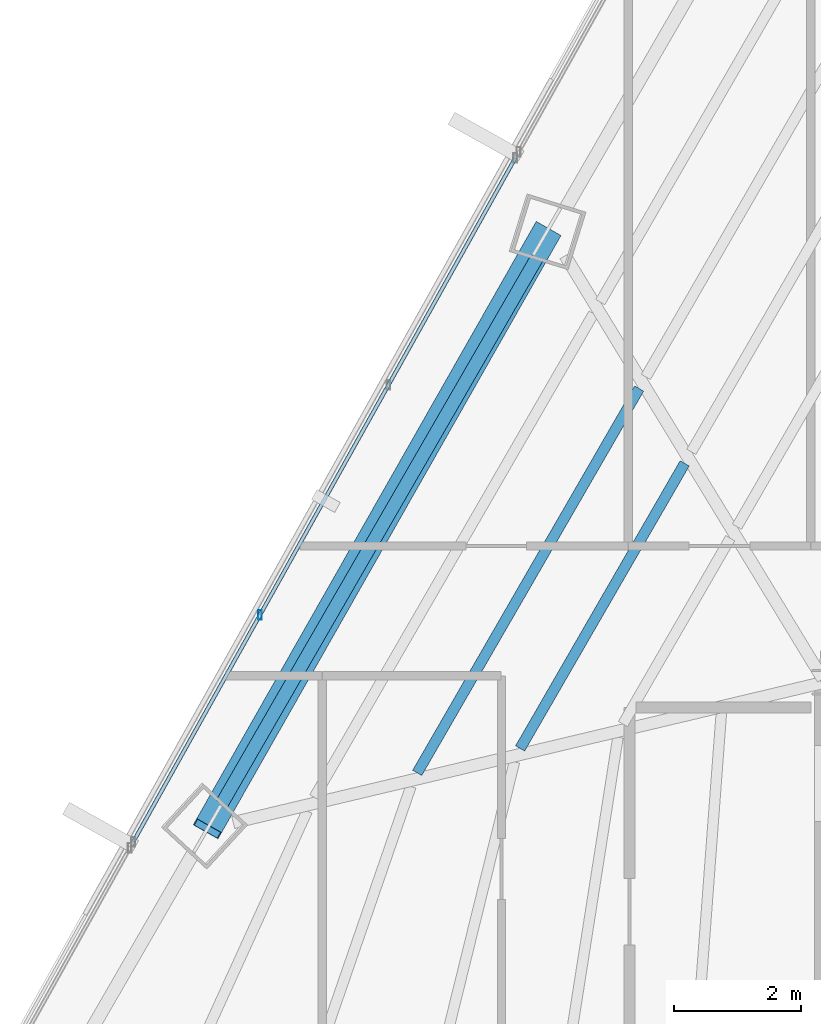
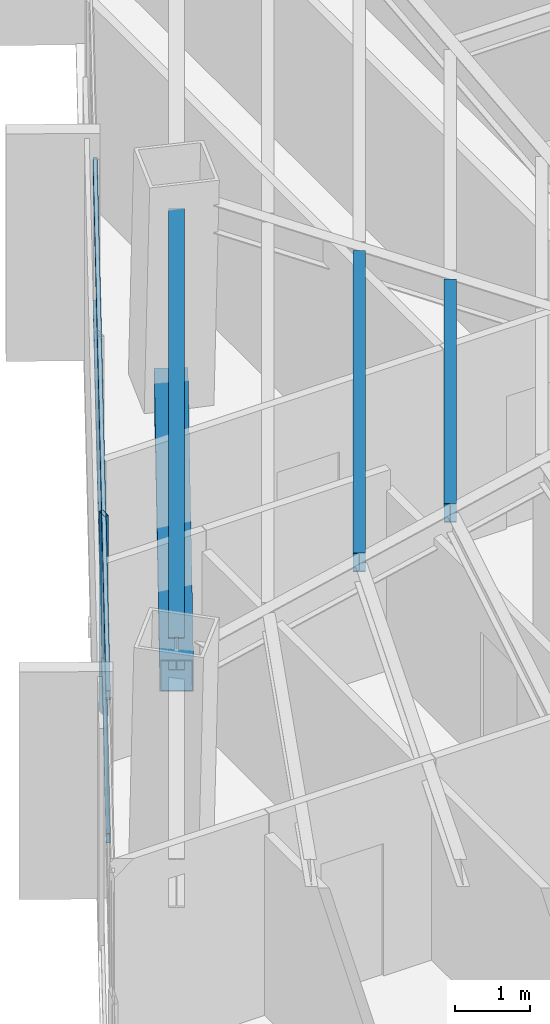
# One storey, part 14 of 40: 4 members, 3 beams, 1 element without a shape of its own.
"""IFC4 building model written with IfcOpenShell, lengths in metres."""

from ifc_helpers import new_model, si_unit, direction, frame, origin, origin_2d, place, context, subcontext, project, spatial, hollow_rectangle, i_section, extrude, source, transform, mapped, material, material_profile, profile_set, type_object, type_shapes, element, aggregate, save


model = new_model("IFC4")

# Units and contexts
model_context = context("Model", 3, precision=1e-05, world=origin(), true_north=direction((0.0, 1.0)))
body_context = subcontext(model_context, "Body", "Model", "MODEL_VIEW")
ifc_project = project(units=[si_unit("LENGTHUNIT", "METRE"), si_unit("AREAUNIT", "SQUARE_METRE"), si_unit("VOLUMEUNIT", "CUBIC_METRE"), si_unit("PLANEANGLEUNIT", "RADIAN"), si_unit("MASSUNIT", "GRAM", prefix="KILO")], contexts=[model_context])

# Site, building, storey
site_placement = place(None, origin())
site = spatial("IfcSite", under=ifc_project, at=site_placement, CompositionType="ELEMENT")
building_placement = place(site_placement, origin())
building = spatial("IfcBuilding", under=site, at=building_placement, Name="Caelisora Broadcast Tower", CompositionType="ELEMENT")
storey_placement = place(building_placement, frame((0.0, 0.0, 146.39990234375)))
storey = spatial("IfcBuildingStorey", under=building, at=storey_placement, Name="L38", CompositionType="ELEMENT", Elevation=146.39990234375)

# Beams
ifc_material_1 = material(Name="Steel Grade 350 (AS/NZS 3679.1)", Category="steel")
ifc_material_profile_1 = material_profile(ifc_material_1, i_section(OverallWidth=0.208984375, OverallDepth=0.532958984375, WebThickness=0.01025390625, FlangeThickness=0.015625, at=origin_2d()), Name="Steel Grade 350 (AS/NZS 3679.1)")
ifc_profile_set_1 = profile_set([ifc_material_profile_1], Name="Steel Grade 350 (AS/NZS 3679.1)")
beam_type_1 = type_object("IfcBeamType", Name="PG05", PredefinedType="BEAM", material=ifc_profile_set_1)
shared_shape_1 = source(origin(), body_context, "Body", "SweptSolid", [
    extrude(i_section(OverallWidth=0.208984375, OverallDepth=0.532958984375, WebThickness=0.01025390625, FlangeThickness=0.015625, at=origin_2d()), origin(), (0.0, 0.0, 1.0), 9.93408203125),
])
type_shapes(beam_type_1, [shared_shape_1])
beam_1_placement = place(storey_placement, frame((25.956298828125, 36.68896484375, 2.983642578125), z_axis=(-0.499995463244, -0.866028023066, 0.0), x_axis=(0.866028023066, -0.499995463244, 0.0)))
element("IfcBeam", 1, at=beam_1_placement, inside=storey, type_object=beam_type_1, Name="L38 beam PG05", PredefinedType="BEAM", context=body_context, shape_type="MappedRepresentation", body=[
    mapped(shared_shape_1, transform((0.0, 0.0, 0.0), scale=1.0)),
])
ifc_material_profile_2 = material_profile(ifc_material_1, i_section(OverallWidth=0.166015625, OverallDepth=0.30712890625, WebThickness=0.006591796875, FlangeThickness=0.01171875, at=origin_2d()), Name="Steel Grade 350 (AS/NZS 3679.1)")
ifc_profile_set_2 = profile_set([ifc_material_profile_2], Name="Steel Grade 350 (AS/NZS 3679.1)")
beam_type_2 = type_object("IfcBeamType", Name="SB03", PredefinedType="JOIST", material=ifc_profile_set_2)
shared_shape_2 = source(origin(), body_context, "Body", "SweptSolid", [
    extrude(i_section(OverallWidth=0.166015625, OverallDepth=0.30712890625, WebThickness=0.006591796875, FlangeThickness=0.01171875, at=origin_2d()), origin(), (0.0, 0.0, 1.0), 5.193359375),
])
beam_2_placement = place(storey_placement, frame((28.290283203125, 33.4521484375, 3.096435546875), z_axis=(-0.500001880682, -0.866024317969, 0.0), x_axis=(0.866024317969, -0.500001880682, 0.0)))
element("IfcBeam", 2, at=beam_2_placement, inside=storey, type_object=beam_type_2, Name="L38 beam SB03", PredefinedType="JOIST", context=body_context, shape_type="MappedRepresentation", body=[
    mapped(shared_shape_2, transform((0.0, 0.0, 0.0), scale=1.0)),
])
shared_shape_3 = source(origin(), body_context, "Body", "SweptSolid", [
    extrude(i_section(OverallWidth=0.166015625, OverallDepth=0.30712890625, WebThickness=0.006591796875, FlangeThickness=0.01171875, at=origin_2d()), origin(), (0.0, 0.0, 1.0), 7.002197265625),
])
type_shapes(beam_type_2, [shared_shape_2, shared_shape_3])
beam_3_placement = place(storey_placement, frame((27.5712890625, 34.63330078125, 3.096435546875), z_axis=(-0.499978992984, -0.866037531851, 0.0), x_axis=(0.866037531851, -0.499978992984, 0.0)))
element("IfcBeam", 3, at=beam_3_placement, inside=storey, type_object=beam_type_2, Name="L38 beam SB03", PredefinedType="JOIST", context=body_context, shape_type="MappedRepresentation", body=[
    mapped(shared_shape_3, transform((0.0, 0.0, 0.0), scale=1.0)),
])

# Member
ifc_material_2 = material(Name="Steel Grade 450 (AS/NZS 1163 C450L0)", Category="steel")
ifc_material_profile_3 = material_profile(ifc_material_2, hollow_rectangle(XDim=0.449951171875, YDim=0.449951171875, WallThickness=0.01611328125, at=origin_2d()), Name="Steel Grade 450 (AS/NZS 1163 C450L0)")
ifc_profile_set_3 = profile_set([ifc_material_profile_3], Name="Steel Grade 450 (AS/NZS 1163 C450L0)")
member_type_1 = type_object("IfcMemberType", Name="BR03", PredefinedType="BRACE", material=ifc_profile_set_3)
shared_shape_4 = source(origin(), body_context, "Body", "SweptSolid", [
    extrude(hollow_rectangle(XDim=0.449951171875, YDim=0.449951171875, WallThickness=0.01611328125, at=origin_2d()), origin(), (0.0, 0.0, 1.0), 11.20654296875),
])
type_shapes(member_type_1, [shared_shape_4])
member_1_placement = place(storey_placement, frame((26.115478515625, 37.109375, 0.10009765625), z_axis=(-0.47794984986, -0.840763870534, 0.254322737922), x_axis=(0.869348568063, -0.494199420484, 0.0)))
element("IfcMember", 4, at=member_1_placement, inside=storey, type_object=member_type_1, Name="L38 perimeter brace BR03", PredefinedType="BRACE", context=body_context, shape_type="MappedRepresentation", body=[
    mapped(shared_shape_4, transform((0.0, 0.0, 0.0), scale=1.0)),
])

# Curtain wall, members
ifc_material_3 = material(Name="Unitised Aluminium Insulated Shadow-Box Spandrel Curtain Wall", Category="aluminium")
curtain_wall_type = type_object("IfcCurtainWallType", Name="CW-SP2", PredefinedType="NOTDEFINED", material=ifc_material_3)
curtain_wall_placement = place(storey_placement, origin())
curtain_wall = element("IfcCurtainWall", 5, at=curtain_wall_placement, inside=storey, type_object=curtain_wall_type, Name="L38 curtain wall CW-SP2", PredefinedType="NOTDEFINED")
ifc_material_4 = material(Name="Aluminium 6063-T6 Anodised Terracotta Bronze", Category="aluminium")
ifc_material_profile_4 = material_profile(ifc_material_4, hollow_rectangle(XDim=0.06005859375, YDim=0.14990234375, WallThickness=0.00341796875, at=origin_2d()), Name="Aluminium 6063-T6 Anodised Terracotta Bronze")
ifc_profile_set_4 = profile_set([ifc_material_profile_4], Name="Aluminium 6063-T6 Anodised Terracotta Bronze")
member_type_2 = type_object("IfcMemberType", Name="CWM-03", PredefinedType="MULLION", material=ifc_profile_set_4)
shared_shape_5 = source(origin(), body_context, "Body", "SweptSolid", [
    extrude(hollow_rectangle(XDim=0.06005859375, YDim=0.14990234375, WallThickness=0.00341796875, at=origin_2d()), origin(), (0.0, 0.0, 1.0), 3.25),
])
type_shapes(member_type_2, [shared_shape_5])
member_2_placement = place(storey_placement, frame((21.590087890625, 31.061279296875, 0.0), z_axis=(0.0, 0.0, 1.0), x_axis=(1.0, 0.0, 0.0)))
member_2 = element("IfcMember", 6, at=member_2_placement, type_object=member_type_2, Name="L38-CW-B10 mullion #1", PredefinedType="MULLION", context=body_context, shape_type="MappedRepresentation", body=[
    mapped(shared_shape_5, transform((0.0, 0.0, 0.0), scale=1.0)),
])
ifc_material_profile_5 = material_profile(ifc_material_4, hollow_rectangle(XDim=0.06005859375, YDim=0.14990234375, WallThickness=0.00341796875, at=origin_2d()), Name="Aluminium 6063-T6 Anodised Terracotta Bronze")
ifc_profile_set_5 = profile_set([ifc_material_profile_5], Name="Aluminium 6063-T6 Anodised Terracotta Bronze")
member_type_3 = type_object("IfcMemberType", Name="CWT-02", PredefinedType="USERDEFINED", material=ifc_profile_set_5)
shared_shape_6 = source(origin(), body_context, "Body", "SweptSolid", [
    extrude(hollow_rectangle(XDim=0.06005859375, YDim=0.14990234375, WallThickness=0.00341796875, at=origin_2d()), origin(), (0.0, 0.0, 1.0), 12.360595703125),
])
type_shapes(member_type_3, [shared_shape_6])
member_3_placement = place(storey_placement, frame((19.588623046875, 27.47900390625, 0.85009765625), z_axis=(0.487747869809, 0.872984544821, 0.0), x_axis=(-0.872984544821, 0.487747869809, 0.0)))
member_3 = element("IfcMember", 7, at=member_3_placement, type_object=member_type_3, Name="L38-CW-B10 transom #1", ObjectType="TRANSOM", PredefinedType="USERDEFINED", context=body_context, shape_type="MappedRepresentation", body=[
    mapped(shared_shape_6, transform((0.0, 0.0, 0.0), scale=1.0)),
])
member_4_placement = place(storey_placement, frame((19.588623046875, 27.47900390625, 3.170166015625), z_axis=(0.487747869809, 0.872984544821, 0.0), x_axis=(-0.872984544821, 0.487747869809, 0.0)))
member_4 = element("IfcMember", 8, at=member_4_placement, type_object=member_type_3, Name="L38-CW-B10 transom #2", ObjectType="TRANSOM", PredefinedType="USERDEFINED", context=body_context, shape_type="MappedRepresentation", body=[
    mapped(shared_shape_6, transform((0.0, 0.0, 0.0), scale=1.0)),
])
aggregate(curtain_wall, [member_2, member_3, member_4])

save(model, "model.ifc")
